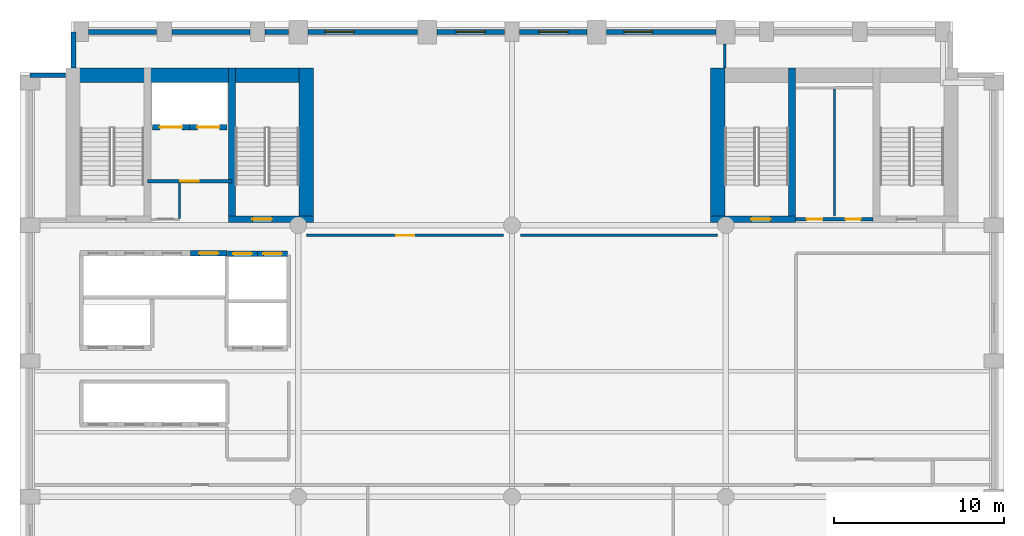
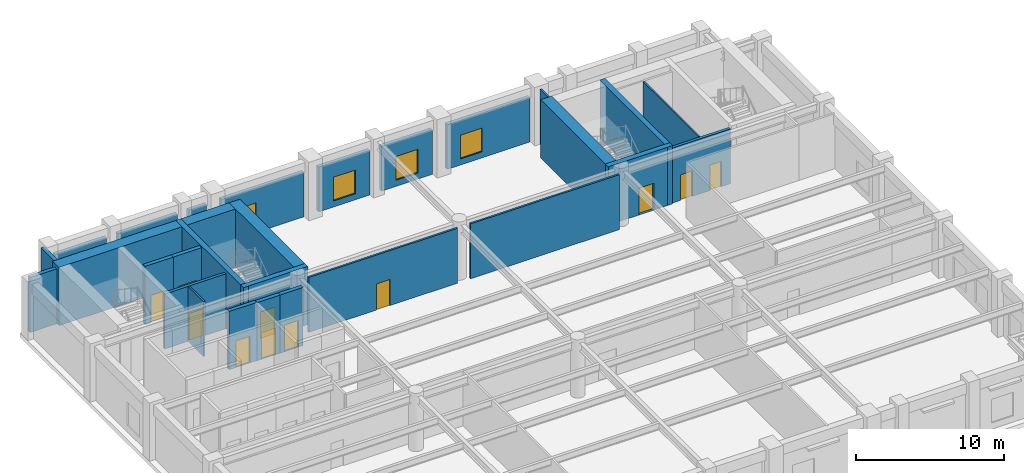
# One storey, part 6 of 10: 28 walls, 11 doors, 4 windows, 15 openings.
"""IFC4 building model written with IfcOpenShell, lengths in metres."""

from ifc_helpers import new_model, si_unit, direction, frame, frame_2d, origin, place, context, subcontext, project, spatial, rectangle, extrude, material, layer, layer_set, type_object, element, fill, save


model = new_model("IFC4")

# Units and contexts
model_context = context("Model", 3, precision=1e-05, world=origin(), true_north=direction((0.0, 1.0)))
body_context = subcontext(model_context, "Body", "Model", "MODEL_VIEW")
ifc_project = project(units=[si_unit("LENGTHUNIT", "METRE"), si_unit("AREAUNIT", "SQUARE_METRE"), si_unit("VOLUMEUNIT", "CUBIC_METRE"), si_unit("PLANEANGLEUNIT", "RADIAN"), si_unit("MASSUNIT", "GRAM", prefix="KILO")], contexts=[model_context])

# Site, building, storey
site_placement = place(None, origin())
site = spatial("IfcSite", under=ifc_project, at=site_placement, CompositionType="ELEMENT")
building_placement = place(site_placement, origin())
building = spatial("IfcBuilding", under=site, at=building_placement, Name="Sulina Concourse Tower", CompositionType="ELEMENT")
storey_placement = place(building_placement, frame((0.0, 0.0, 87.800048828125)))
storey = spatial("IfcBuildingStorey", under=building, at=storey_placement, Name="L21", CompositionType="ELEMENT", Elevation=87.800048828125)

# Wall, opening, door
ifc_material_1 = material(Name="Concrete C50/60", Category="concrete")
ifc_layer_1 = layer(ifc_material_1, 0.300048828125)
ifc_layer_set_1 = layer_set([ifc_layer_1], Name="Concrete C50/60")
wall_type_1 = type_object("IfcWallType", Name="Core Lift Hoistway Wall 300mm", PredefinedType="SOLIDWALL", material=ifc_layer_set_1)
wall_1_placement = place(storey_placement, frame((12.219970703125, 32.320068359375, 0.0), z_axis=(0.0, 0.0, 1.0), x_axis=(1.0, 0.0, 0.0)))
wall_1 = element("IfcWall", 1, at=wall_1_placement, inside=storey, type_object=wall_type_1, Name="L21 hoistway enclosure wall LP-07", PredefinedType="SOLIDWALL", context=body_context, shape_type="SweptSolid", body=[
    extrude(rectangle(XDim=1.780029296875, YDim=0.300048828125, at=frame_2d((0.89013671875, 0.0))), origin(), (0.0, 0.0, 1.0), 4.800048828125),
])
opening_1_placement = place(wall_1_placement, frame((0.340087890625, 0.0, 0.0)))
opening_1 = element("IfcOpeningElement", 2, at=opening_1_placement, cuts=wall_1, Name="Opening LD-01", PredefinedType="OPENING", context=body_context, shape_type="SweptSolid", body=[
    extrude(rectangle(XDim=1.10009765625, YDim=2.199951171875, at=frame_2d((0.550048828125, 1.10009765625))), frame((0.0, 0.159912109375, 0.0), z_axis=(0.0, -1.0, 0.0), x_axis=(1.0, 0.0, 0.0)), (0.0, 0.0, 1.0), 0.320068359375),
])
ifc_material_2 = material(Name="Stainless steel lift landing door", Category="steel")
ifc_layer_2 = layer(ifc_material_2, 0.050048828125)
ifc_layer_set_2 = layer_set([ifc_layer_2], Name="Stainless steel lift landing door")
door_type_1 = type_object("IfcDoorType", Name="Passenger Lift Sliding Landing Door 1100x2200", OperationType="SLIDING_TO_LEFT", PredefinedType="DOOR", material=ifc_layer_set_2)
door_1_placement = place(opening_1_placement, origin())
door_1 = element("IfcDoor", 3, at=door_1_placement, inside=storey, type_object=door_type_1, Name="L21 lift landing sliding door LP-07", OperationType="SLIDING_TO_LEFT", OverallHeight=2.199951171875, OverallWidth=1.10009765625, PredefinedType="DOOR", context=body_context, shape_type="SweptSolid", body=[
    extrude(rectangle(XDim=1.10009765625, YDim=2.199951171875, at=frame_2d((0.550048828125, 1.10009765625))), frame((0.0, 0.02490234375, 0.0), z_axis=(0.0, -1.0, 0.0), x_axis=(1.0, 0.0, 0.0)), (0.0, 0.0, 1.0), 0.050048828125),
])
fill(opening_1, door_1)

wall_2_placement = place(storey_placement, frame((14.0, 32.320068359375, 0.0), z_axis=(0.0, 0.0, 1.0), x_axis=(1.0, 0.0, 0.0)))
wall_2 = element("IfcWall", 4, at=wall_2_placement, inside=storey, type_object=wall_type_1, Name="L21 hoistway enclosure wall LP-08", PredefinedType="SOLIDWALL", context=body_context, shape_type="SweptSolid", body=[
    extrude(rectangle(XDim=1.780029296875, YDim=0.300048828125, at=frame_2d((0.89013671875, 0.0))), origin(), (0.0, 0.0, 1.0), 4.800048828125),
])
opening_2_placement = place(wall_2_placement, frame((0.340087890625, 0.0, 0.0)))
opening_2 = element("IfcOpeningElement", 5, at=opening_2_placement, cuts=wall_2, Name="Opening LD-01", PredefinedType="OPENING", context=body_context, shape_type="SweptSolid", body=[
    extrude(rectangle(XDim=1.10009765625, YDim=2.199951171875, at=frame_2d((0.550048828125, 1.10009765625))), frame((0.0, 0.159912109375, 0.0), z_axis=(0.0, -1.0, 0.0), x_axis=(1.0, 0.0, 0.0)), (0.0, 0.0, 1.0), 0.320068359375),
])
door_2_placement = place(opening_2_placement, origin())
door_2 = element("IfcDoor", 6, at=door_2_placement, inside=storey, type_object=door_type_1, Name="L21 lift landing sliding door LP-08", OperationType="SLIDING_TO_RIGHT", OverallHeight=2.199951171875, OverallWidth=1.10009765625, PredefinedType="DOOR", context=body_context, shape_type="SweptSolid", body=[
    extrude(rectangle(XDim=1.10009765625, YDim=2.199951171875, at=frame_2d((0.550048828125, 1.10009765625))), frame((0.0, 0.02490234375, 0.0), z_axis=(0.0, -1.0, 0.0), x_axis=(1.0, 0.0, 0.0)), (0.0, 0.0, 1.0), 0.050048828125),
])
fill(opening_2, door_2)

wall_3_placement = place(storey_placement, frame((10.050048828125, 32.35009765625, 0.0), z_axis=(0.0, 0.0, 1.0), x_axis=(1.0, 0.0, 0.0)))
wall_3 = element("IfcWall", 7, at=wall_3_placement, inside=storey, type_object=wall_type_1, Name="L21 hoistway enclosure wall LP-12", PredefinedType="SOLIDWALL", context=body_context, shape_type="SweptSolid", body=[
    extrude(rectangle(XDim=2.14990234375, YDim=0.300048828125, at=frame_2d((1.074951171875, 0.0))), origin(), (0.0, 0.0, 1.0), 4.800048828125),
])
opening_3_placement = place(wall_3_placement, frame((0.52490234375, 0.0, 0.0)))
opening_3 = element("IfcOpeningElement", 8, at=opening_3_placement, cuts=wall_3, Name="Opening LD-01", PredefinedType="OPENING", context=body_context, shape_type="SweptSolid", body=[
    extrude(rectangle(XDim=1.10009765625, YDim=2.199951171875, at=frame_2d((0.550048828125, 1.10009765625))), frame((0.0, 0.159912109375, 0.0), z_axis=(0.0, -1.0, 0.0), x_axis=(1.0, 0.0, 0.0)), (0.0, 0.0, 1.0), 0.320068359375),
])
door_3_placement = place(opening_3_placement, origin())
door_3 = element("IfcDoor", 9, at=door_3_placement, inside=storey, type_object=door_type_1, Name="L21 lift landing sliding door LP-12", OperationType="SLIDING_TO_RIGHT", OverallHeight=2.199951171875, OverallWidth=1.10009765625, PredefinedType="DOOR", context=body_context, shape_type="SweptSolid", body=[
    extrude(rectangle(XDim=1.10009765625, YDim=2.199951171875, at=frame_2d((0.550048828125, 1.10009765625))), frame((0.0, 0.02490234375, 0.0), z_axis=(0.0, -1.0, 0.0), x_axis=(1.0, 0.0, 0.0)), (0.0, 0.0, 1.0), 0.050048828125),
])
fill(opening_3, door_3)

wall_4_placement = place(storey_placement, frame((10.0, 39.780029296875, 0.0), z_axis=(0.0, 0.0, 1.0), x_axis=(-1.0, 0.0, 0.0)))
wall_4 = element("IfcWall", 10, at=wall_4_placement, inside=storey, type_object=wall_type_1, Name="L21 hoistway enclosure wall FFL-1", PredefinedType="SOLIDWALL", context=body_context, shape_type="SweptSolid", body=[
    extrude(rectangle(XDim=2.199951171875, YDim=0.300048828125, at=frame_2d((1.10009765625, 0.0))), origin(), (0.0, 0.0, 1.0), 4.800048828125),
])
opening_4_placement = place(wall_4_placement, frame((0.449951171875, 0.0, 0.0)))
opening_4 = element("IfcOpeningElement", 11, at=opening_4_placement, cuts=wall_4, Name="Opening LD-02", PredefinedType="OPENING", context=body_context, shape_type="SweptSolid", body=[
    extrude(rectangle(XDim=1.300048828125, YDim=2.25, at=frame_2d((0.64990234375, 1.125))), frame((0.0, 0.159912109375, 0.0), z_axis=(0.0, -1.0, 0.0), x_axis=(1.0, 0.0, 0.0)), (0.0, 0.0, 1.0), 0.320068359375),
])
ifc_material_3 = material(Name="Stainless steel lift landing door", Category="steel")
ifc_layer_3 = layer(ifc_material_3, 0.050048828125)
ifc_layer_set_3 = layer_set([ifc_layer_3], Name="Stainless steel lift landing door")
door_type_2 = type_object("IfcDoorType", Name="Firefighting Lift Sliding Landing Door 1300x2250", OperationType="SLIDING_TO_RIGHT", PredefinedType="DOOR", material=ifc_layer_set_3)
door_4_placement = place(opening_4_placement, origin())
door_4 = element("IfcDoor", 12, at=door_4_placement, inside=storey, type_object=door_type_2, Name="L21 lift landing sliding door FFL-1", OperationType="SLIDING_TO_LEFT", OverallHeight=2.25, OverallWidth=1.300048828125, PredefinedType="DOOR", context=body_context, shape_type="SweptSolid", body=[
    extrude(rectangle(XDim=1.300048828125, YDim=2.25, at=frame_2d((0.64990234375, 1.125))), frame((0.0, 0.02490234375, 0.0), z_axis=(0.0, -1.0, 0.0), x_axis=(1.0, 0.0, 0.0)), (0.0, 0.0, 1.0), 0.050048828125),
])
fill(opening_4, door_4)

wall_5_placement = place(storey_placement, frame((12.199951171875, 39.780029296875, 0.0), z_axis=(0.0, 0.0, 1.0), x_axis=(-1.0, 0.0, 0.0)))
wall_5 = element("IfcWall", 13, at=wall_5_placement, inside=storey, type_object=wall_type_1, Name="L21 hoistway enclosure wall FFL-2", PredefinedType="SOLIDWALL", context=body_context, shape_type="SweptSolid", body=[
    extrude(rectangle(XDim=2.199951171875, YDim=0.300048828125, at=frame_2d((1.10009765625, 0.0))), origin(), (0.0, 0.0, 1.0), 4.800048828125),
])
opening_5_placement = place(wall_5_placement, frame((0.449951171875, 0.0, 0.0)))
opening_5 = element("IfcOpeningElement", 14, at=opening_5_placement, cuts=wall_5, Name="Opening LD-02", PredefinedType="OPENING", context=body_context, shape_type="SweptSolid", body=[
    extrude(rectangle(XDim=1.300048828125, YDim=2.25, at=frame_2d((0.64990234375, 1.125))), frame((0.0, 0.159912109375, 0.0), z_axis=(0.0, -1.0, 0.0), x_axis=(1.0, 0.0, 0.0)), (0.0, 0.0, 1.0), 0.320068359375),
])
door_5_placement = place(opening_5_placement, origin())
door_5 = element("IfcDoor", 15, at=door_5_placement, inside=storey, type_object=door_type_2, Name="L21 lift landing sliding door FFL-2", OperationType="SLIDING_TO_RIGHT", OverallHeight=2.25, OverallWidth=1.300048828125, PredefinedType="DOOR", context=body_context, shape_type="SweptSolid", body=[
    extrude(rectangle(XDim=1.300048828125, YDim=2.25, at=frame_2d((0.64990234375, 1.125))), frame((0.0, 0.02490234375, 0.0), z_axis=(0.0, -1.0, 0.0), x_axis=(1.0, 0.0, 0.0)), (0.0, 0.0, 1.0), 0.050048828125),
])
fill(opening_5, door_5)

ifc_material_4 = material(Name="Gypsum board on steel stud", Category="steel")
ifc_layer_4 = layer(ifc_material_4, 0.219970703125)
ifc_layer_set_4 = layer_set([ifc_layer_4], Name="Gypsum board on steel stud")
wall_type_2 = type_object("IfcWallType", Name="Fire-Rated Lobby & Compartment Wall 220mm", PredefinedType="PARTITIONING", material=ifc_layer_set_4)
wall_6_placement = place(storey_placement, frame((7.510009765625, 36.60009765625, 0.0), z_axis=(0.0, 0.0, 1.0), x_axis=(1.0, 0.0, 0.0)))
wall_6 = element("IfcWall", 16, at=wall_6_placement, inside=storey, type_object=wall_type_2, Name="L21 firefighting lobby south fire wall", PredefinedType="PARTITIONING", context=body_context, shape_type="SweptSolid", body=[
    extrude(rectangle(XDim=4.97998046875, YDim=0.219970703125, at=frame_2d((2.489990234375, 0.0))), origin(), (0.0, 0.0, 1.0), 4.52490234375),
])
opening_6_placement = place(wall_6_placement, frame((1.93994140625, 0.0, 0.0)))
opening_6 = element("IfcOpeningElement", 17, at=opening_6_placement, cuts=wall_6, Name="Opening DR-47", PredefinedType="OPENING", context=body_context, shape_type="SweptSolid", body=[
    extrude(rectangle(XDim=1.10009765625, YDim=2.199951171875, at=frame_2d((0.550048828125, 1.10009765625))), frame((0.0, 0.119873046875, 0.0), z_axis=(0.0, -1.0, 0.0), x_axis=(1.0, 0.0, 0.0)), (0.0, 0.0, 1.0), 0.239990234375),
])
ifc_material_5 = material(Name="Galvanised steel acoustic fire leaf", Category="steel")
ifc_layer_5 = layer(ifc_material_5, 0.054931640625)
ifc_layer_set_5 = layer_set([ifc_layer_5], Name="Galvanised steel acoustic fire leaf")
door_type_3 = type_object("IfcDoorType", Name="Firefighting Lobby Fire Door 1100x2200", OperationType="NOTDEFINED", PredefinedType="DOOR", material=ifc_layer_set_5)
door_6_placement = place(opening_6_placement, origin())
door_6 = element("IfcDoor", 18, at=door_6_placement, inside=storey, type_object=door_type_3, Name="L21 firefighting lobby fire door", OperationType="SINGLE_SWING_RIGHT", OverallHeight=2.199951171875, OverallWidth=1.10009765625, PredefinedType="DOOR", context=body_context, shape_type="SweptSolid", body=[
    extrude(rectangle(XDim=1.10009765625, YDim=2.199951171875, at=frame_2d((0.550048828125, 1.10009765625))), frame((0.0, 0.02490234375, 0.0), z_axis=(0.0, -1.0, 0.0), x_axis=(1.0, 0.0, 0.0)), (0.0, 0.0, 1.0), 0.050048828125),
])
fill(opening_6, door_6)

# Wall, openings, doors
wall_7_placement = place(storey_placement, frame((45.719970703125, 34.35009765625, 0.0), z_axis=(0.0, 0.0, 1.0), x_axis=(1.0, 0.0, 0.0)))
wall_7 = element("IfcWall", 19, at=wall_7_placement, inside=storey, type_object=wall_type_2, Name="L21 east core south lobby wall", PredefinedType="PARTITIONING", context=body_context, shape_type="SweptSolid", body=[
    extrude(rectangle(XDim=4.56005859375, YDim=0.219970703125, at=frame_2d((2.280029296875, 0.0))), origin(), (0.0, 0.0, 1.0), 4.52490234375),
])
opening_7_placement = place(wall_7_placement, frame((0.64990234375, 0.0, 0.0)))
opening_7 = element("IfcOpeningElement", 20, at=opening_7_placement, cuts=wall_7, Name="Opening DR-61", PredefinedType="OPENING", context=body_context, shape_type="SweptSolid", body=[
    extrude(rectangle(XDim=0.919921875, YDim=2.10009765625, at=frame_2d((0.4599609375, 1.050048828125))), frame((0.0, 0.119873046875, 0.0), z_axis=(0.0, -1.0, 0.0), x_axis=(1.0, 0.0, 0.0)), (0.0, 0.0, 1.0), 0.239990234375),
])
opening_8_placement = place(wall_7_placement, frame((2.949951171875, 0.0, 0.0)))
opening_8 = element("IfcOpeningElement", 21, at=opening_8_placement, cuts=wall_7, Name="Opening DR-38", PredefinedType="OPENING", context=body_context, shape_type="SweptSolid", body=[
    extrude(rectangle(XDim=0.8798828125, YDim=2.10009765625, at=frame_2d((0.43994140625, 1.050048828125))), frame((0.0, 0.119873046875, 0.0), z_axis=(0.0, -1.0, 0.0), x_axis=(1.0, 0.0, 0.0)), (0.0, 0.0, 1.0), 0.239990234375),
])
ifc_material_6 = material(Name="Oak-veneered fire door leaf")
ifc_layer_6 = layer(ifc_material_6, 0.050048828125)
ifc_layer_set_6 = layer_set([ifc_layer_6], Name="Oak-veneered fire door leaf")
door_type_4 = type_object("IfcDoorType", Name="Accessible WC Door 920x2100", OperationType="NOTDEFINED", PredefinedType="DOOR", material=ifc_layer_set_6)
door_7_placement = place(opening_7_placement, origin())
door_7 = element("IfcDoor", 22, at=door_7_placement, inside=storey, type_object=door_type_4, Name="L21 east core accessible wc door", OperationType="SINGLE_SWING_RIGHT", OverallHeight=2.10009765625, OverallWidth=0.919921875, PredefinedType="DOOR", context=body_context, shape_type="SweptSolid", body=[
    extrude(rectangle(XDim=0.919921875, YDim=2.10009765625, at=frame_2d((0.4599609375, 1.050048828125))), frame((0.0, 0.02490234375, 0.0), z_axis=(0.0, -1.0, 0.0), x_axis=(1.0, 0.0, 0.0)), (0.0, 0.0, 1.0), 0.050048828125),
])
fill(opening_7, door_7)
ifc_material_7 = material(Name="Galvanised steel acoustic fire leaf", Category="steel")
ifc_layer_7 = layer(ifc_material_7, 0.050048828125)
ifc_layer_set_7 = layer_set([ifc_layer_7], Name="Galvanised steel acoustic fire leaf")
door_type_5 = type_object("IfcDoorType", Name="Service Riser Fire Door 880x2100", OperationType="NOTDEFINED", PredefinedType="DOOR", material=ifc_layer_set_7)
door_8_placement = place(opening_8_placement, origin())
door_8 = element("IfcDoor", 23, at=door_8_placement, inside=storey, type_object=door_type_5, Name="L21 east core store door", OperationType="SINGLE_SWING_LEFT", OverallHeight=2.10009765625, OverallWidth=0.8798828125, PredefinedType="DOOR", context=body_context, shape_type="SweptSolid", body=[
    extrude(rectangle(XDim=0.8798828125, YDim=2.10009765625, at=frame_2d((0.43994140625, 1.050048828125))), frame((0.0, 0.02490234375, 0.0), z_axis=(0.0, -1.0, 0.0), x_axis=(1.0, 0.0, 0.0)), (0.0, 0.0, 1.0), 0.050048828125),
])
fill(opening_8, door_8)

# Wall, opening, door
ifc_material_8 = material(Name="Gypsum board on steel stud", Category="steel")
ifc_layer_8 = layer(ifc_material_8, 0.14990234375)
ifc_layer_set_8 = layer_set([ifc_layer_8], Name="Gypsum board on steel stud")
wall_type_3 = type_object("IfcWallType", Name="Inter-Tenancy Acoustic Partition 150mm", PredefinedType="PARTITIONING", material=ifc_layer_set_8)
wall_8_placement = place(storey_placement, frame((16.89990234375, 33.39990234375, 0.0), z_axis=(0.0, 0.0, 1.0), x_axis=(1.0, 0.0, 0.0)))
wall_8 = element("IfcWall", 24, at=wall_8_placement, inside=storey, type_object=wall_type_3, Name="L21 interior partition 010", PredefinedType="PARTITIONING", context=body_context, shape_type="SweptSolid", body=[
    extrude(rectangle(XDim=11.60009765625, YDim=0.14990234375, at=frame_2d((5.800048828125, 0.0))), origin(), (0.0, 0.0, 1.0), 4.52490234375),
])
opening_9_placement = place(wall_8_placement, frame((5.27490234375, 0.0, 0.0)))
opening_9 = element("IfcOpeningElement", 25, at=opening_9_placement, cuts=wall_8, Name="Opening DR-37", PredefinedType="OPENING", context=body_context, shape_type="SweptSolid", body=[
    extrude(rectangle(XDim=1.050048828125, YDim=2.14990234375, at=frame_2d((0.52490234375, 1.074951171875))), frame((0.0, 0.0849609375, 0.0), z_axis=(0.0, -1.0, 0.0), x_axis=(1.0, 0.0, 0.0)), (0.0, 0.0, 1.0), 0.169921875),
])
ifc_material_9 = material(Name="Oak-veneered fire door leaf")
ifc_layer_9 = layer(ifc_material_9, 0.050048828125)
ifc_layer_set_9 = layer_set([ifc_layer_9], Name="Oak-veneered fire door leaf")
door_type_6 = type_object("IfcDoorType", Name="Tenant Suite Entrance Fire Door 1050x2150", OperationType="NOTDEFINED", PredefinedType="DOOR", material=ifc_layer_set_9)
door_9_placement = place(opening_9_placement, origin())
door_9 = element("IfcDoor", 26, at=door_9_placement, inside=storey, type_object=door_type_6, Name="L21 interior door L21-LNG-N", OperationType="SINGLE_SWING_LEFT", OverallHeight=2.14990234375, OverallWidth=1.050048828125, PredefinedType="DOOR", context=body_context, shape_type="SweptSolid", body=[
    extrude(rectangle(XDim=1.050048828125, YDim=2.14990234375, at=frame_2d((0.52490234375, 1.074951171875))), frame((0.0, 0.02490234375, 0.0), z_axis=(0.0, -1.0, 0.0), x_axis=(1.0, 0.0, 0.0)), (0.0, 0.0, 1.0), 0.050048828125),
])
fill(opening_9, door_9)

# Walls
wall_9_placement = place(storey_placement, frame((29.5, 33.39990234375, 0.0), z_axis=(0.0, 0.0, 1.0), x_axis=(1.0, 0.0, 0.0)))
element("IfcWall", 27, at=wall_9_placement, inside=storey, type_object=wall_type_3, Name="L21 interior partition 011", PredefinedType="PARTITIONING", context=body_context, shape_type="SweptSolid", body=[
    extrude(rectangle(XDim=11.60009765625, YDim=0.14990234375, at=frame_2d((5.800048828125, 0.0))), origin(), (0.0, 0.0, 1.0), 4.52490234375),
])
wall_10_placement = place(storey_placement, frame((41.550048828125, 43.280029296875, 0.0), z_axis=(0.0, 0.0, 1.0), x_axis=(0.0, 1.0, 0.0)))
element("IfcWall", 28, at=wall_10_placement, inside=storey, type_object=wall_type_3, Name="L21 interior partition 021", PredefinedType="PARTITIONING", context=body_context, shape_type="SweptSolid", body=[
    extrude(rectangle(XDim=1.419921875, YDim=0.14990234375, at=frame_2d((0.7099609375, 0.0))), origin(), (0.0, 0.0, 1.0), 4.52490234375),
])

# Wall, opening, door
ifc_material_10 = material(Name="Concrete C60/75", Category="concrete")
ifc_layer_10 = layer(ifc_material_10, 0.39990234375)
ifc_layer_set_10 = layer_set([ifc_layer_10], Name="Concrete C60/75")
wall_type_4 = type_object("IfcWallType", Name="Protected Stair Core Shear Wall 400mm", PredefinedType="SHEAR", material=ifc_layer_set_10)
wall_11_placement = place(storey_placement, frame((12.2900390625, 34.35009765625, 0.0), z_axis=(0.0, 0.0, 1.0), x_axis=(1.0, 0.0, 0.0)))
wall_11 = element("IfcWall", 29, at=wall_11_placement, inside=storey, type_object=wall_type_4, Name="L21 west core shear wall CW-WS2", PredefinedType="SHEAR", context=body_context, shape_type="SweptSolid", body=[
    extrude(rectangle(XDim=5.010009765625, YDim=0.39990234375, at=frame_2d((2.5048828125, 0.0))), origin(), (0.0, 0.0, 1.0), 4.800048828125),
])
opening_10_placement = place(wall_11_placement, frame((1.39990234375, 0.0, 0.0)))
opening_10 = element("IfcOpeningElement", 30, at=opening_10_placement, cuts=wall_11, Name="Opening DR-60", PredefinedType="OPENING", context=body_context, shape_type="SweptSolid", body=[
    extrude(rectangle(XDim=1.14990234375, YDim=2.199951171875, at=frame_2d((0.574951171875, 1.10009765625))), frame((0.0, 0.2099609375, 0.0), z_axis=(0.0, -1.0, 0.0), x_axis=(1.0, 0.0, 0.0)), (0.0, 0.0, 1.0), 0.419921875),
])
ifc_material_11 = material(Name="Galvanised steel acoustic fire leaf", Category="steel")
ifc_layer_11 = layer(ifc_material_11, 0.054931640625)
ifc_layer_set_11 = layer_set([ifc_layer_11], Name="Galvanised steel acoustic fire leaf")
door_type_7 = type_object("IfcDoorType", Name="Protected Exit Stair Fire Door 1150x2200", OperationType="NOTDEFINED", PredefinedType="DOOR", material=ifc_layer_set_11)
door_10_placement = place(opening_10_placement, origin())
door_10 = element("IfcDoor", 31, at=door_10_placement, inside=storey, type_object=door_type_7, Name="L21 stair ST-2 lobby fire door", OperationType="SINGLE_SWING_LEFT", OverallHeight=2.199951171875, OverallWidth=1.14990234375, PredefinedType="DOOR", context=body_context, shape_type="SweptSolid", body=[
    extrude(rectangle(XDim=1.14990234375, YDim=2.199951171875, at=frame_2d((0.574951171875, 1.10009765625))), frame((0.0, 0.02490234375, 0.0), z_axis=(0.0, -1.0, 0.0), x_axis=(1.0, 0.0, 0.0)), (0.0, 0.0, 1.0), 0.050048828125),
])
fill(opening_10, door_10)

# Wall
wall_12_placement = place(storey_placement, frame((12.489990234375, 34.14990234375, 0.0), z_axis=(0.0, 0.0, 1.0), x_axis=(0.0, 1.0, 0.0)))
element("IfcWall", 32, at=wall_12_placement, inside=storey, type_object=wall_type_4, Name="L21 west core shear wall SW-ST2", PredefinedType="SHEAR", context=body_context, shape_type="SweptSolid", body=[
    extrude(rectangle(XDim=9.130126953125, YDim=0.39990234375, at=frame_2d((4.56494140625, 0.0))), origin(), (0.0, 0.0, 1.0), 4.800048828125),
])

# Wall, opening, door
wall_13_placement = place(storey_placement, frame((40.699951171875, 34.35009765625, 0.0), z_axis=(0.0, 0.0, 1.0), x_axis=(1.0, 0.0, 0.0)))
wall_13 = element("IfcWall", 33, at=wall_13_placement, inside=storey, type_object=wall_type_4, Name="L21 east core shear wall CW-ES1", PredefinedType="SHEAR", context=body_context, shape_type="SweptSolid", body=[
    extrude(rectangle(XDim=5.010009765625, YDim=0.39990234375, at=frame_2d((2.5048828125, 0.0))), origin(), (0.0, 0.0, 1.0), 4.800048828125),
])
opening_11_placement = place(wall_13_placement, frame((2.39990234375, 0.0, 0.0)))
opening_11 = element("IfcOpeningElement", 34, at=opening_11_placement, cuts=wall_13, Name="Opening DR-60", PredefinedType="OPENING", context=body_context, shape_type="SweptSolid", body=[
    extrude(rectangle(XDim=1.14990234375, YDim=2.199951171875, at=frame_2d((0.574951171875, 1.10009765625))), frame((0.0, 0.2099609375, 0.0), z_axis=(0.0, -1.0, 0.0), x_axis=(1.0, 0.0, 0.0)), (0.0, 0.0, 1.0), 0.419921875),
])
door_11_placement = place(opening_11_placement, origin())
door_11 = element("IfcDoor", 35, at=door_11_placement, inside=storey, type_object=door_type_7, Name="L21 stair ST-3 south lobby fire door", OperationType="SINGLE_SWING_LEFT", OverallHeight=2.199951171875, OverallWidth=1.14990234375, PredefinedType="DOOR", context=body_context, shape_type="SweptSolid", body=[
    extrude(rectangle(XDim=1.14990234375, YDim=2.199951171875, at=frame_2d((0.574951171875, 1.10009765625))), frame((0.0, 0.02490234375, 0.0), z_axis=(0.0, -1.0, 0.0), x_axis=(1.0, 0.0, 0.0)), (0.0, 0.0, 1.0), 0.050048828125),
])
fill(opening_11, door_11)

# Walls
wall_14_placement = place(storey_placement, frame((45.510009765625, 34.14990234375, 0.0), z_axis=(0.0, 0.0, 1.0), x_axis=(0.0, 1.0, 0.0)))
element("IfcWall", 36, at=wall_14_placement, inside=storey, type_object=wall_type_4, Name="L21 east core shear wall SW-ST3", PredefinedType="SHEAR", context=body_context, shape_type="SweptSolid", body=[
    extrude(rectangle(XDim=9.130126953125, YDim=0.39990234375, at=frame_2d((4.56494140625, 0.0))), origin(), (0.0, 0.0, 1.0), 4.800048828125),
])
ifc_material_12 = material(Name="Concrete C60/75", Category="concrete")
ifc_layer_12 = layer(ifc_material_12, 0.85009765625)
ifc_layer_set_12 = layer_set([ifc_layer_12], Name="Concrete C60/75")
wall_type_5 = type_object("IfcWallType", Name="Rear Core Shear Wall 850mm", PredefinedType="SHEAR", material=ifc_layer_set_12)
wall_15_placement = place(storey_placement, frame((2.699951171875, 42.85498046875, 0.0), z_axis=(0.0, 0.0, 1.0), x_axis=(1.0, 0.0, 0.0)))
element("IfcWall", 37, at=wall_15_placement, inside=storey, type_object=wall_type_5, Name="L21 west core shear wall CW-WN", PredefinedType="SHEAR", context=body_context, shape_type="SweptSolid", body=[
    extrude(rectangle(XDim=14.60009765625, YDim=0.85009765625, at=frame_2d((7.300048828125, 0.0))), origin(), (0.0, 0.0, 1.0), 4.800048828125),
])
for number, where, z_axis, x_axis, name in (
    (38, (16.875, 34.14990234375, 0.0), (0.0, 0.0, 1.0), (0.0, 1.0, 0.0), "L21 west core shear wall CW-WE"),
    (39, (41.125, 34.14990234375, 0.0), (0.0, 0.0, 1.0), (0.0, 1.0, 0.0), "L21 east core shear wall CW-EW"),
):
    element("IfcWall", number, at=place(storey_placement, frame(where, z_axis=z_axis, x_axis=x_axis)), inside=storey, type_object=wall_type_5, Name=name, PredefinedType="SHEAR", context=body_context, shape_type="SweptSolid", body=[
        extrude(rectangle(XDim=9.130126953125, YDim=0.85009765625, at=frame_2d((4.56494140625, 0.0))), origin(), (0.0, 0.0, 1.0), 4.800048828125),
    ])
ifc_material_13 = material(Name="Precast concrete C50/60", Category="concrete")
ifc_layer_13 = layer(ifc_material_13, 0.280029296875)
ifc_layer_set_13 = layer_set([ifc_layer_13], Name="Precast concrete C50/60")
wall_type_6 = type_object("IfcWallType", Name="Typical Precast Masonry-Frame Facade Wall 280mm", PredefinedType="SOLIDWALL", material=ifc_layer_set_13)
wall_16_placement = place(storey_placement, frame((4.044921875, 45.39990234375, 0.0), z_axis=(0.0, 0.0, 1.0), x_axis=(1.0, 0.0, 0.0)))
element("IfcWall", 40, at=wall_16_placement, inside=storey, type_object=wall_type_6, Name="L21 exterior precast wall N1", PredefinedType="SOLIDWALL", context=body_context, shape_type="SweptSolid", body=[
    extrude(rectangle(XDim=4.010009765625, YDim=0.280029296875, at=frame_2d((2.0048828125, 0.0))), origin(), (0.0, 0.0, 1.0), 3.675048828125),
])
wall_17_placement = place(storey_placement, frame((8.945068359375, 45.39990234375, 0.0), z_axis=(0.0, 0.0, 1.0), x_axis=(1.0, 0.0, 0.0)))
element("IfcWall", 41, at=wall_17_placement, inside=storey, type_object=wall_type_6, Name="L21 exterior precast wall N2", PredefinedType="SOLIDWALL", context=body_context, shape_type="SweptSolid", body=[
    extrude(rectangle(XDim=4.60986328125, YDim=0.280029296875, at=frame_2d((2.304931640625, 0.0))), origin(), (0.0, 0.0, 1.0), 3.675048828125),
])
wall_18_placement = place(storey_placement, frame((14.445068359375, 45.39990234375, 0.0), z_axis=(0.0, 0.0, 1.0), x_axis=(1.0, 0.0, 0.0)))
element("IfcWall", 42, at=wall_18_placement, inside=storey, type_object=wall_type_6, Name="L21 exterior precast wall N3", PredefinedType="SOLIDWALL", context=body_context, shape_type="SweptSolid", body=[
    extrude(rectangle(XDim=1.385009765625, YDim=0.280029296875, at=frame_2d((0.6923828125, 0.0))), origin(), (0.0, 0.0, 1.0), 3.675048828125),
])

# Wall, opening, window
wall_19_placement = place(storey_placement, frame((16.969970703125, 45.39990234375, 0.0), z_axis=(0.0, 0.0, 1.0), x_axis=(1.0, 0.0, 0.0)))
wall_19 = element("IfcWall", 43, at=wall_19_placement, inside=storey, type_object=wall_type_6, Name="L21 exterior precast wall N4", PredefinedType="SOLIDWALL", context=body_context, shape_type="SweptSolid", body=[
    extrude(rectangle(XDim=6.4599609375, YDim=0.280029296875, at=frame_2d((3.22998046875, 0.0))), origin(), (0.0, 0.0, 1.0), 3.675048828125),
])
opening_12_placement = place(wall_19_placement, frame((1.02001953125, 0.0, 0.5)))
opening_12 = element("IfcOpeningElement", 44, at=opening_12_placement, cuts=wall_19, Name="Opening WN-66", PredefinedType="OPENING", context=body_context, shape_type="SweptSolid", body=[
    extrude(rectangle(XDim=1.699951171875, YDim=1.949951171875, at=frame_2d((0.85009765625, 0.97509765625))), frame((0.0, 0.14990234375, 0.0), z_axis=(0.0, -1.0, 0.0), x_axis=(1.0, 0.0, 0.0)), (0.0, 0.0, 1.0), 0.300048828125),
])
ifc_material_14 = material(Name="Low-E solar double glazing in bronze aluminium", Category="aluminium")
window_type = type_object("IfcWindowType", Name="Recessed Spandrel Window 1700x1950", PartitioningType="SINGLE_PANEL", PredefinedType="WINDOW", material=ifc_material_14)
window_1_placement = place(opening_12_placement, origin())
window_1 = element("IfcWindow", 45, at=window_1_placement, inside=storey, type_object=window_type, Name="L21 punched window N4-1", OverallHeight=1.949951171875, OverallWidth=1.699951171875, PartitioningType="SINGLE_PANEL", PredefinedType="WINDOW", context=body_context, shape_type="SweptSolid", body=[
    extrude(rectangle(XDim=1.699951171875, YDim=1.949951171875, at=frame_2d((0.85009765625, 0.97509765625))), frame((0.0, 0.030029296875, 0.0), z_axis=(0.0, -1.0, 0.0), x_axis=(1.0, 0.0, 0.0)), (0.0, 0.0, 1.0), 0.06005859375),
])
fill(opening_12, window_1)

wall_20_placement = place(storey_placement, frame((24.570068359375, 45.39990234375, 0.0), z_axis=(0.0, 0.0, 1.0), x_axis=(1.0, 0.0, 0.0)))
wall_20 = element("IfcWall", 46, at=wall_20_placement, inside=storey, type_object=wall_type_6, Name="L21 exterior precast wall N5", PredefinedType="SOLIDWALL", context=body_context, shape_type="SweptSolid", body=[
    extrude(rectangle(XDim=3.98486328125, YDim=0.280029296875, at=frame_2d((1.992431640625, 0.0))), origin(), (0.0, 0.0, 1.0), 3.675048828125),
])
opening_13_placement = place(wall_20_placement, frame((1.142578125, 0.0, 0.5)))
opening_13 = element("IfcOpeningElement", 47, at=opening_13_placement, cuts=wall_20, Name="Opening WN-66", PredefinedType="OPENING", context=body_context, shape_type="SweptSolid", body=[
    extrude(rectangle(XDim=1.699951171875, YDim=1.949951171875, at=frame_2d((0.85009765625, 0.97509765625))), frame((0.0, 0.14990234375, 0.0), z_axis=(0.0, -1.0, 0.0), x_axis=(1.0, 0.0, 0.0)), (0.0, 0.0, 1.0), 0.300048828125),
])
window_2_placement = place(opening_13_placement, origin())
window_2 = element("IfcWindow", 48, at=window_2_placement, inside=storey, type_object=window_type, Name="L21 punched window N5-1", OverallHeight=1.949951171875, OverallWidth=1.699951171875, PartitioningType="SINGLE_PANEL", PredefinedType="WINDOW", context=body_context, shape_type="SweptSolid", body=[
    extrude(rectangle(XDim=1.699951171875, YDim=1.949951171875, at=frame_2d((0.85009765625, 0.97509765625))), frame((0.0, 0.030029296875, 0.0), z_axis=(0.0, -1.0, 0.0), x_axis=(1.0, 0.0, 0.0)), (0.0, 0.0, 1.0), 0.06005859375),
])
fill(opening_13, window_2)

wall_21_placement = place(storey_placement, frame((29.445068359375, 45.39990234375, 0.0), z_axis=(0.0, 0.0, 1.0), x_axis=(1.0, 0.0, 0.0)))
wall_21 = element("IfcWall", 49, at=wall_21_placement, inside=storey, type_object=wall_type_6, Name="L21 exterior precast wall N6", PredefinedType="SOLIDWALL", context=body_context, shape_type="SweptSolid", body=[
    extrude(rectangle(XDim=3.98486328125, YDim=0.280029296875, at=frame_2d((1.992431640625, 0.0))), origin(), (0.0, 0.0, 1.0), 3.675048828125),
])
opening_14_placement = place(wall_21_placement, frame((1.142578125, 0.0, 0.5)))
opening_14 = element("IfcOpeningElement", 50, at=opening_14_placement, cuts=wall_21, Name="Opening WN-66", PredefinedType="OPENING", context=body_context, shape_type="SweptSolid", body=[
    extrude(rectangle(XDim=1.699951171875, YDim=1.949951171875, at=frame_2d((0.85009765625, 0.97509765625))), frame((0.0, 0.14990234375, 0.0), z_axis=(0.0, -1.0, 0.0), x_axis=(1.0, 0.0, 0.0)), (0.0, 0.0, 1.0), 0.300048828125),
])
window_3_placement = place(opening_14_placement, origin())
window_3 = element("IfcWindow", 51, at=window_3_placement, inside=storey, type_object=window_type, Name="L21 punched window N6-1", OverallHeight=1.949951171875, OverallWidth=1.699951171875, PartitioningType="SINGLE_PANEL", PredefinedType="WINDOW", context=body_context, shape_type="SweptSolid", body=[
    extrude(rectangle(XDim=1.699951171875, YDim=1.949951171875, at=frame_2d((0.85009765625, 0.97509765625))), frame((0.0, 0.030029296875, 0.0), z_axis=(0.0, -1.0, 0.0), x_axis=(1.0, 0.0, 0.0)), (0.0, 0.0, 1.0), 0.06005859375),
])
fill(opening_14, window_3)

wall_22_placement = place(storey_placement, frame((34.570068359375, 45.39990234375, 0.0), z_axis=(0.0, 0.0, 1.0), x_axis=(1.0, 0.0, 0.0)))
wall_22 = element("IfcWall", 52, at=wall_22_placement, inside=storey, type_object=wall_type_6, Name="L21 exterior precast wall N7", PredefinedType="SOLIDWALL", context=body_context, shape_type="SweptSolid", body=[
    extrude(rectangle(XDim=6.4599609375, YDim=0.280029296875, at=frame_2d((3.22998046875, 0.0))), origin(), (0.0, 0.0, 1.0), 3.675048828125),
])
opening_15_placement = place(wall_22_placement, frame((1.02001953125, 0.0, 0.5)))
opening_15 = element("IfcOpeningElement", 53, at=opening_15_placement, cuts=wall_22, Name="Opening WN-66", PredefinedType="OPENING", context=body_context, shape_type="SweptSolid", body=[
    extrude(rectangle(XDim=1.699951171875, YDim=1.949951171875, at=frame_2d((0.85009765625, 0.97509765625))), frame((0.0, 0.14990234375, 0.0), z_axis=(0.0, -1.0, 0.0), x_axis=(1.0, 0.0, 0.0)), (0.0, 0.0, 1.0), 0.300048828125),
])
window_4_placement = place(opening_15_placement, origin())
window_4 = element("IfcWindow", 54, at=window_4_placement, inside=storey, type_object=window_type, Name="L21 punched window N7-1", OverallHeight=1.949951171875, OverallWidth=1.699951171875, PartitioningType="SINGLE_PANEL", PredefinedType="WINDOW", context=body_context, shape_type="SweptSolid", body=[
    extrude(rectangle(XDim=1.699951171875, YDim=1.949951171875, at=frame_2d((0.85009765625, 0.97509765625))), frame((0.0, 0.030029296875, 0.0), z_axis=(0.0, -1.0, 0.0), x_axis=(1.0, 0.0, 0.0)), (0.0, 0.0, 1.0), 0.06005859375),
])
fill(opening_15, window_4)

# Walls
wall_23_placement = place(storey_placement, frame((0.60009765625, 42.844970703125, 0.0), z_axis=(0.0, 0.0, 1.0), x_axis=(1.0, 0.0, 0.0)))
element("IfcWall", 55, at=wall_23_placement, inside=storey, type_object=wall_type_6, Name="L21 exterior precast wall CNW1", PredefinedType="SOLIDWALL", context=body_context, shape_type="SweptSolid", body=[
    extrude(rectangle(XDim=2.094970703125, YDim=0.280029296875, at=frame_2d((1.04736328125, 0.0))), origin(), (0.0, 0.0, 1.0), 4.52490234375),
])
wall_24_placement = place(storey_placement, frame((3.155029296875, 43.284912109375, 0.0), z_axis=(0.0, 0.0, 1.0), x_axis=(0.0, 1.0, 0.0)))
element("IfcWall", 56, at=wall_24_placement, inside=storey, type_object=wall_type_6, Name="L21 exterior precast wall CNW2", PredefinedType="SOLIDWALL", context=body_context, shape_type="SweptSolid", body=[
    extrude(rectangle(XDim=2.114990234375, YDim=0.280029296875, at=frame_2d((1.0576171875, 0.0))), origin(), (0.0, 0.0, 1.0), 4.52490234375),
])
ifc_material_15 = material(Name="Gypsum board on steel stud", Category="steel")
ifc_layer_14 = layer(ifc_material_15, 0.125)
ifc_layer_set_14 = layer_set([ifc_layer_14], Name="Gypsum board on steel stud")
wall_type_7 = type_object("IfcWallType", Name="Wet-Area Moisture-Resistant Partition 125mm", PredefinedType="PARTITIONING", material=ifc_layer_set_14)
wall_25_placement = place(storey_placement, frame((9.39990234375, 34.41259765625, 0.0), z_axis=(0.0, 0.0, 1.0), x_axis=(0.0, 1.0, 0.0)))
element("IfcWall", 57, at=wall_25_placement, inside=storey, type_object=wall_type_7, Name="L21 interior partition 016", PredefinedType="PARTITIONING", context=body_context, shape_type="SweptSolid", body=[
    extrude(rectangle(XDim=2.077392578125, YDim=0.125, at=frame_2d((1.03857421875, 0.0))), origin(), (0.0, 0.0, 1.0), 4.52490234375),
])
wall_26_placement = place(storey_placement, frame((48.0, 34.550048828125, 0.0), z_axis=(0.0, 0.0, 1.0), x_axis=(0.0, 1.0, 0.0)))
element("IfcWall", 58, at=wall_26_placement, inside=storey, type_object=wall_type_7, Name="L21 interior partition 023", PredefinedType="PARTITIONING", context=body_context, shape_type="SweptSolid", body=[
    extrude(rectangle(XDim=7.474853515625, YDim=0.125, at=frame_2d((3.7373046875, 0.0))), origin(), (0.0, 0.0, 1.0), 4.52490234375),
])

save(model, "model.ifc")
